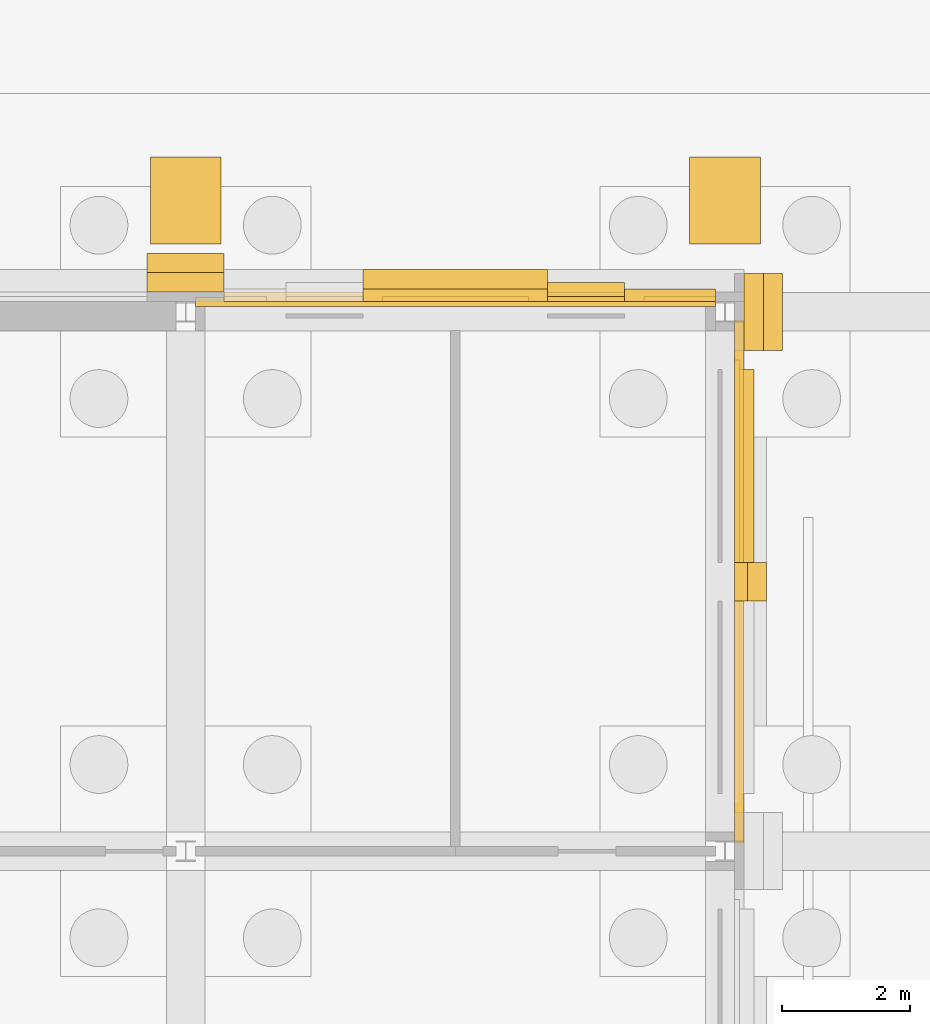
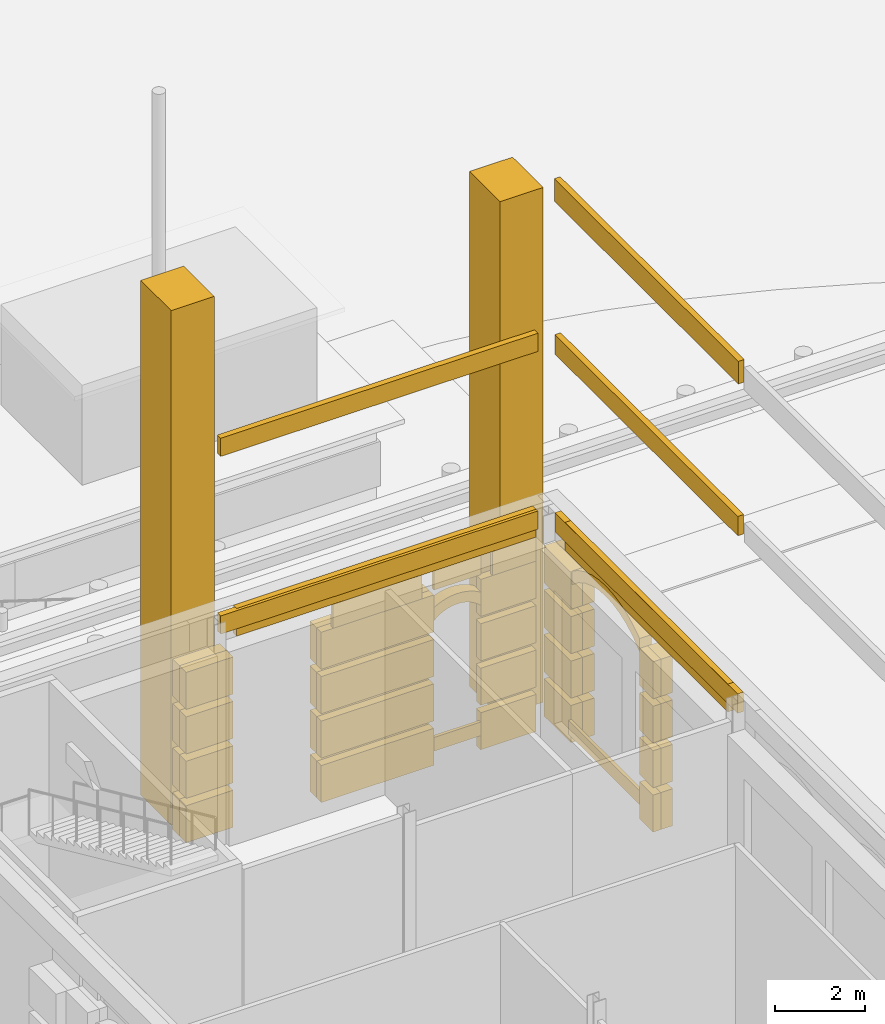
# One storey, part 156 of 222: 52 coverings.
"""IFC4 building model written with IfcOpenShell, lengths in metres."""

from ifc_helpers import new_model, si_unit, direction, frame, origin, origin_2d, place, context, subcontext, project, spatial, polyline, rectangle, outline, extrude, material, layer, layer_set, type_object, element, save


model = new_model("IFC4")

# Units and contexts
model_context = context("Model", 3, precision=1e-05, world=origin(), true_north=direction((0.0, 1.0)))
body_context = subcontext(model_context, "Body", "Model", "MODEL_VIEW")
ifc_project = project(units=[si_unit("LENGTHUNIT", "METRE"), si_unit("AREAUNIT", "SQUARE_METRE"), si_unit("VOLUMEUNIT", "CUBIC_METRE"), si_unit("PLANEANGLEUNIT", "RADIAN"), si_unit("MASSUNIT", "GRAM", prefix="KILO")], contexts=[model_context])

# Site, building, storey
site_placement = place(None, origin())
site = spatial("IfcSite", under=ifc_project, at=site_placement, CompositionType="ELEMENT")
building_placement = place(site_placement, origin())
building = spatial("IfcBuilding", under=site, at=building_placement, Name="Sava Quay Ferry Terminal", CompositionType="ELEMENT")
storey_placement = place(building_placement, origin())
storey = spatial("IfcBuildingStorey", under=building, at=storey_placement, Name="L00", CompositionType="ELEMENT", Elevation=0.0)

# Coverings
ifc_material_1 = material(Name="Limestone Mutalj", Category="masonry")
ifc_layer_1 = layer(ifc_material_1, 0.300048828125)
ifc_layer_set_1 = layer_set([ifc_layer_1], Name="Limestone Mutalj")
covering_type_1 = type_object("IfcCoveringType", Name="Arch band 280", PredefinedType="MOLDING", material=ifc_layer_set_1)
covering_1_placement = place(storey_placement, frame((109.64990234375, 105.300048828125, 4.5), z_axis=(1.0, 0.0, 0.0), x_axis=(0.0, 0.782171011383, 0.623063808091)))
element("IfcCovering", 1, at=covering_1_placement, inside=storey, type_object=covering_type_1, Name="Arch band", PredefinedType="MOLDING", context=body_context, shape_type="SweptSolid", body=[
    extrude(outline(polyline([(0.0, 0.0), (0.38361026394291897, 0.0), (0.7215471270971323, -0.056944840965655), (1.0251448024033882, -0.15738965346254868), (1.2993842465178647, -0.29468969183758004), (1.5471556480034832, -0.4652167214188082), (1.768763237235288, -0.6685888227670815), (1.9637118241186586, -0.9050358001340293), (2.1294931395298256, -1.178490118566637), (2.2607443073734594, -1.4952922933429613), (2.3465130341479634, -1.8691914242724625), (2.5760548521189226, -1.5810332074325149), (2.4648828890282157, -1.2390243496721793), (2.318876547994931, -0.9407452676947119), (2.144424666895, -0.6781756532779273), (1.9447605091984421, -0.4476484272178306), (1.7214796529038934, -0.24637688278489167), (1.475381518481019, -0.07374929628832916), (1.2058576451797298, 0.06947049339355327), (0.9109305355622378, 0.18080000990627), (0.5877488455976752, 0.2562679436707819), (0.22954181797095916, 0.2881582168399477), (0.0, 0.0)])), origin(), (0.0, 0.0, -1.0), 0.300048828125),
])
covering_2_placement = place(storey_placement, frame((106.4375, 109.360107421875, 3.89990234375), z_axis=(0.0, -1.0, 0.0), x_axis=(0.766686318179, 0.0, 0.642021876199)))
element("IfcCovering", 2, at=covering_2_placement, inside=storey, type_object=covering_type_1, Name="Arch band", PredefinedType="MOLDING", context=body_context, shape_type="SweptSolid", body=[
    extrude(outline(polyline([(0.0, 0.0), (0.15667057654730215, -1.3877787807814457e-17), (0.29293404656438327, -0.02398938309786766), (0.414337308134961, -0.06610472040016957), (0.5230139006591377, -0.1230376562322823), (0.6205921316676617, -0.19360424362325043), (0.7070111298509724, -0.2771166367750381), (0.7823317665186302, -0.3742626814856812), (0.844925734139887, -0.48622632472613514), (0.8926594933146406, -0.6163159221710233), (0.919986145959173, -0.7703949027137791), (1.1489885778747033, -0.49692597916416525), (1.0994043308893047, -0.3694264559410845), (1.0383473638344554, -0.2552470970326215), (0.9677594714851411, -0.1528295969140227), (0.8882067570202763, -0.06073739267965583), (0.8003770662378966, 0.021090386980039788), (0.7042095278284416, 0.09334158786309998), (0.5997650131014718, 0.15532836417148896), (0.4863556762589516, 0.20698984459564596), (0.3634154141219664, 0.2468894662299388), (0.22900243191553027, 0.27346892354961383), (0.0, 0.0)])), origin(), (0.0, 0.0, -1.0), 0.300048828125),
])
ifc_material_2 = material(Name="Limestone Mutalj", Category="masonry")
ifc_layer_2 = layer(ifc_material_2, 0.080078125)
ifc_layer_set_2 = layer_set([ifc_layer_2], Name="Limestone Mutalj")
covering_type_2 = type_object("IfcCoveringType", Name="Light stone cladding 80", PredefinedType="CLADDING", material=ifc_layer_set_2)
covering_3_placement = place(storey_placement, frame((109.389892578125, 106.875, 0.3798828125), z_axis=(0.0, 0.0, 1.0), x_axis=(1.0, 0.0, 0.0)))
element("IfcCovering", 3, at=covering_3_placement, inside=storey, type_object=covering_type_2, Name="Light stone cladding", PredefinedType="CLADDING", context=body_context, shape_type="SweptSolid", body=[
    extrude(rectangle(XDim=0.080078125, YDim=3.14990234375, at=origin_2d()), origin(), (0.0, 0.0, 1.0), 0.3701171875),
])
covering_4_placement = place(storey_placement, frame((105.0, 109.39990234375, 4.60009765625), z_axis=(0.0, 0.0, 1.0), x_axis=(1.0, 0.0, 0.0)))
element("IfcCovering", 4, at=covering_4_placement, inside=storey, type_object=covering_type_2, Name="Light stone cladding", PredefinedType="CLADDING", context=body_context, shape_type="SweptSolid", body=[
    extrude(rectangle(XDim=2.27490234375, YDim=0.080078125, at=origin_2d()), origin(), (0.0, 0.0, 1.0), 0.64990234375),
])
covering_5_placement = place(storey_placement, frame((107.03759765625, 109.39990234375, 0.3798828125), z_axis=(0.0, 0.0, 1.0), x_axis=(1.0, 0.0, 0.0)))
element("IfcCovering", 5, at=covering_5_placement, inside=storey, type_object=covering_type_2, Name="Light stone cladding", PredefinedType="CLADDING", context=body_context, shape_type="SweptSolid", body=[
    extrude(rectangle(XDim=1.2001953125, YDim=0.080078125, at=origin_2d()), origin(), (0.0, 0.0, 1.0), 0.3701171875),
])
covering_6_placement = place(storey_placement, frame((107.03759765625, 109.39990234375, 4.72998046875), z_axis=(0.0, 0.0, 1.0), x_axis=(1.0, 0.0, 0.0)))
element("IfcCovering", 6, at=covering_6_placement, inside=storey, type_object=covering_type_2, Name="Light stone cladding", PredefinedType="CLADDING", context=body_context, shape_type="SweptSolid", body=[
    extrude(rectangle(XDim=1.2001953125, YDim=0.080078125, at=origin_2d()), origin(), (0.0, 0.0, 1.0), 0.52001953125),
])
covering_7_placement = place(storey_placement, frame((108.493896484375, 109.39990234375, 4.60009765625), z_axis=(0.0, 0.0, 1.0), x_axis=(1.0, 0.0, 0.0)))
element("IfcCovering", 7, at=covering_7_placement, inside=storey, type_object=covering_type_2, Name="Light stone cladding", PredefinedType="CLADDING", context=body_context, shape_type="SweptSolid", body=[
    extrude(rectangle(XDim=1.112548828125, YDim=0.080078125, at=origin_2d()), origin(), (0.0, 0.0, 1.0), 0.64990234375),
])
ifc_material_3 = material(Name="Limestone Mutalj", Category="masonry")
ifc_layer_3 = layer(ifc_material_3, 0.14990234375)
ifc_layer_set_3 = layer_set([ifc_layer_3], Name="Limestone Mutalj")
covering_type_3 = type_object("IfcCoveringType", Name="Limestone string course 150", PredefinedType="CLADDING", material=ifc_layer_set_3)
covering_8_placement = place(storey_placement, frame((0.0, 0.0, 5.25)))
element("IfcCovering", 8, at=covering_8_placement, inside=storey, type_object=covering_type_3, Name="String course O-N", PredefinedType="CLADDING", context=body_context, shape_type="SweptSolid", body=[
    extrude(outline(polyline([(101.39990234375, 109.360107421875), (109.050048828125, 109.360107421875), (109.050048828125, 109.510009765625), (101.39990234375, 109.510009765625), (101.39990234375, 109.360107421875)])), origin(), (0.0, 0.0, 1.0), 0.75),
])
covering_9_placement = place(storey_placement, frame((0.0, 0.0, 5.25)))
element("IfcCovering", 9, at=covering_9_placement, inside=storey, type_object=covering_type_3, Name="String course O-E", PredefinedType="CLADDING", context=body_context, shape_type="SweptSolid", body=[
    extrude(outline(polyline([(109.35009765625, 101.39990234375), (109.35009765625, 108.60009765625), (109.5, 108.60009765625), (109.5, 101.39990234375), (109.35009765625, 101.39990234375)])), origin(), (0.0, 0.0, 1.0), 0.75),
])
ifc_material_4 = material(Name="Limestone Mutalj", Category="masonry")
ifc_layer_4 = layer(ifc_material_4, 1.35009765625)
ifc_layer_set_4 = layer_set([ifc_layer_4], Name="Limestone Mutalj")
covering_type_4 = type_object("IfcCoveringType", Name="Portico pier 1100", PredefinedType="CLADDING", material=ifc_layer_set_4)
for number, where, z_axis, x_axis, name in (
    (10, (100.800048828125, 110.93505859375, 0.0), (0.0, 0.0, 1.0), (1.0, 0.0, 0.0), "Portico pier"),
    (11, (109.199951171875, 110.93505859375, 0.0), (0.0, 0.0, 1.0), (1.0, 0.0, 0.0), "Portico pier"),
):
    element("IfcCovering", number, at=place(storey_placement, frame(where, z_axis=z_axis, x_axis=x_axis)), inside=storey, type_object=covering_type_4, Name=name, PredefinedType="CLADDING", context=body_context, shape_type="SweptSolid", body=[
        extrude(rectangle(XDim=1.10009765625, YDim=1.35009765625, at=origin_2d()), origin(), (0.0, 0.0, 1.0), 13.89990234375),
    ])
ifc_material_5 = material(Name="Limestone Mutalj", Category="masonry")
ifc_layer_5 = layer(ifc_material_5, 0.300048828125)
ifc_layer_set_5 = layer_set([ifc_layer_5], Name="Limestone Mutalj")
covering_type_5 = type_object("IfcCoveringType", Name="Rusticated course deepening 300", PredefinedType="CLADDING", material=ifc_layer_set_5)
for number, where, z_axis, x_axis, name in (
    (12, (109.949951171875, 109.199951171875, 0.0), (0.0, 0.0, 1.0), (1.0, 0.0, 0.0), "Rusticated course deepening"),
    (13, (109.949951171875, 109.199951171875, 1.199951171875), (0.0, 0.0, 1.0), (1.0, 0.0, 0.0), "Rusticated course deepening"),
    (14, (109.949951171875, 109.199951171875, 2.39990234375), (0.0, 0.0, 1.0), (1.0, 0.0, 0.0), "Rusticated course deepening"),
    (15, (109.949951171875, 109.199951171875, 3.60009765625), (0.0, 0.0, 1.0), (1.0, 0.0, 0.0), "Rusticated course deepening"),
):
    element("IfcCovering", number, at=place(storey_placement, frame(where, z_axis=z_axis, x_axis=x_axis)), inside=storey, type_object=covering_type_5, Name=name, PredefinedType="CLADDING", context=body_context, shape_type="SweptSolid", body=[
        extrude(rectangle(XDim=0.300048828125, YDim=1.199951171875, at=origin_2d()), origin(), (0.0, 0.0, 1.0), 1.0),
    ])
for number, where, z_axis, x_axis, name in (
    (16, (100.800048828125, 109.9599609375, 0.0), (0.0, 0.0, 1.0), (1.0, 0.0, 0.0), "Rusticated course deepening"),
    (17, (100.800048828125, 109.9599609375, 1.199951171875), (0.0, 0.0, 1.0), (1.0, 0.0, 0.0), "Rusticated course deepening"),
    (18, (100.800048828125, 109.9599609375, 2.39990234375), (0.0, 0.0, 1.0), (1.0, 0.0, 0.0), "Rusticated course deepening"),
    (19, (100.800048828125, 109.9599609375, 3.60009765625), (0.0, 0.0, 1.0), (1.0, 0.0, 0.0), "Rusticated course deepening"),
):
    element("IfcCovering", number, at=place(storey_placement, frame(where, z_axis=z_axis, x_axis=x_axis)), inside=storey, type_object=covering_type_5, Name=name, PredefinedType="CLADDING", context=body_context, shape_type="SweptSolid", body=[
        extrude(rectangle(XDim=1.199951171875, YDim=0.300048828125, at=origin_2d()), origin(), (0.0, 0.0, 1.0), 1.0),
    ])
for number, where, z_axis, x_axis, name in (
    (20, (109.699951171875, 105.0, 0.0), (0.0, 0.0, 1.0), (1.0, 0.0, 0.0), "Rusticated course deepening"),
    (21, (109.699951171875, 105.0, 1.199951171875), (0.0, 0.0, 1.0), (1.0, 0.0, 0.0), "Rusticated course deepening"),
    (22, (109.699951171875, 105.0, 2.39990234375), (0.0, 0.0, 1.0), (1.0, 0.0, 0.0), "Rusticated course deepening"),
    (23, (109.699951171875, 105.0, 3.60009765625), (0.0, 0.0, 1.0), (1.0, 0.0, 0.0), "Rusticated course deepening"),
):
    element("IfcCovering", number, at=place(storey_placement, frame(where, z_axis=z_axis, x_axis=x_axis)), inside=storey, type_object=covering_type_5, Name=name, PredefinedType="CLADDING", context=body_context, shape_type="SweptSolid", body=[
        extrude(rectangle(XDim=0.300048828125, YDim=0.60009765625, at=origin_2d()), origin(), (0.0, 0.0, 1.0), 1.0),
    ])
for number, where, z_axis, x_axis, name in (
    (24, (105.0, 109.7099609375, 0.0), (0.0, 0.0, 1.0), (1.0, 0.0, 0.0), "Rusticated course deepening"),
    (25, (105.0, 109.7099609375, 1.199951171875), (0.0, 0.0, 1.0), (1.0, 0.0, 0.0), "Rusticated course deepening"),
    (26, (105.0, 109.7099609375, 2.39990234375), (0.0, 0.0, 1.0), (1.0, 0.0, 0.0), "Rusticated course deepening"),
    (27, (105.0, 109.7099609375, 3.60009765625), (0.0, 0.0, 1.0), (1.0, 0.0, 0.0), "Rusticated course deepening"),
):
    element("IfcCovering", number, at=place(storey_placement, frame(where, z_axis=z_axis, x_axis=x_axis)), inside=storey, type_object=covering_type_5, Name=name, PredefinedType="CLADDING", context=body_context, shape_type="SweptSolid", body=[
        extrude(rectangle(XDim=2.875, YDim=0.300048828125, at=origin_2d()), origin(), (0.0, 0.0, 1.0), 1.0),
    ])
ifc_material_6 = material(Name="Limestone Mutalj", Category="masonry")
ifc_layer_6 = layer(ifc_material_6, 0.300048828125)
ifc_layer_set_6 = layer_set([ifc_layer_6], Name="Limestone Mutalj")
covering_type_6 = type_object("IfcCoveringType", Name="Rusticated pier course 300", PredefinedType="CLADDING", material=ifc_layer_set_6)
for number, where, z_axis, x_axis, name in (
    (28, (109.64990234375, 109.199951171875, 0.0), (0.0, 0.0, 1.0), (1.0, 0.0, 0.0), "Rusticated pier course"),
    (29, (109.64990234375, 109.199951171875, 1.199951171875), (0.0, 0.0, 1.0), (1.0, 0.0, 0.0), "Rusticated pier course"),
    (30, (109.64990234375, 109.199951171875, 2.39990234375), (0.0, 0.0, 1.0), (1.0, 0.0, 0.0), "Rusticated pier course"),
    (31, (109.64990234375, 109.199951171875, 3.60009765625), (0.0, 0.0, 1.0), (1.0, 0.0, 0.0), "Rusticated pier course"),
):
    element("IfcCovering", number, at=place(storey_placement, frame(where, z_axis=z_axis, x_axis=x_axis)), inside=storey, type_object=covering_type_6, Name=name, PredefinedType="CLADDING", context=body_context, shape_type="SweptSolid", body=[
        extrude(rectangle(XDim=0.300048828125, YDim=1.199951171875, at=origin_2d()), origin(), (0.0, 0.0, 1.0), 1.0),
    ])
for number, where, z_axis, x_axis, name in (
    (32, (100.800048828125, 109.659912109375, 0.0), (0.0, 0.0, 1.0), (1.0, 0.0, 0.0), "Rusticated pier course"),
    (33, (100.800048828125, 109.659912109375, 1.199951171875), (0.0, 0.0, 1.0), (1.0, 0.0, 0.0), "Rusticated pier course"),
    (34, (100.800048828125, 109.659912109375, 2.39990234375), (0.0, 0.0, 1.0), (1.0, 0.0, 0.0), "Rusticated pier course"),
    (35, (100.800048828125, 109.659912109375, 3.60009765625), (0.0, 0.0, 1.0), (1.0, 0.0, 0.0), "Rusticated pier course"),
):
    element("IfcCovering", number, at=place(storey_placement, frame(where, z_axis=z_axis, x_axis=x_axis)), inside=storey, type_object=covering_type_6, Name=name, PredefinedType="CLADDING", context=body_context, shape_type="SweptSolid", body=[
        extrude(rectangle(XDim=1.199951171875, YDim=0.300048828125, at=origin_2d()), origin(), (0.0, 0.0, 1.0), 1.0),
    ])
ifc_material_7 = material(Name="Limestone Mutalj", Category="masonry")
ifc_layer_7 = layer(ifc_material_7, 0.199951171875)
ifc_layer_set_7 = layer_set([ifc_layer_7], Name="Limestone Mutalj")
covering_type_7 = type_object("IfcCoveringType", Name="Rusticated wall course 200", PredefinedType="CLADDING", material=ifc_layer_set_7)
for number, where, z_axis, x_axis, name in (
    (36, (109.449951171875, 105.0, 0.0), (0.0, 0.0, 1.0), (1.0, 0.0, 0.0), "Rusticated wall course"),
    (37, (109.449951171875, 105.0, 1.199951171875), (0.0, 0.0, 1.0), (1.0, 0.0, 0.0), "Rusticated wall course"),
    (38, (109.449951171875, 105.0, 2.39990234375), (0.0, 0.0, 1.0), (1.0, 0.0, 0.0), "Rusticated wall course"),
    (39, (109.449951171875, 105.0, 3.60009765625), (0.0, 0.0, 1.0), (1.0, 0.0, 0.0), "Rusticated wall course"),
):
    element("IfcCovering", number, at=place(storey_placement, frame(where, z_axis=z_axis, x_axis=x_axis)), inside=storey, type_object=covering_type_7, Name=name, PredefinedType="CLADDING", context=body_context, shape_type="SweptSolid", body=[
        extrude(rectangle(XDim=0.199951171875, YDim=0.60009765625, at=origin_2d()), origin(), (0.0, 0.0, 1.0), 1.0),
    ])
covering_10_placement = place(storey_placement, frame((105.0, 109.4599609375, 0.0), z_axis=(0.0, 0.0, 1.0), x_axis=(1.0, 0.0, 0.0)))
element("IfcCovering", 40, at=covering_10_placement, inside=storey, type_object=covering_type_7, Name="Rusticated wall course", PredefinedType="CLADDING", context=body_context, shape_type="SweptSolid", body=[
    extrude(rectangle(XDim=2.875, YDim=0.199951171875, at=origin_2d()), origin(), (0.0, 0.0, 1.0), 1.0),
])
covering_11_placement = place(storey_placement, frame((108.34375, 109.4599609375, 0.0), z_axis=(0.0, 0.0, 1.0), x_axis=(1.0, 0.0, 0.0)))
element("IfcCovering", 41, at=covering_11_placement, inside=storey, type_object=covering_type_7, Name="Rusticated wall course", PredefinedType="CLADDING", context=body_context, shape_type="SweptSolid", body=[
    extrude(rectangle(XDim=1.41259765625, YDim=0.199951171875, at=origin_2d()), origin(), (0.0, 0.0, 1.0), 1.0),
])
covering_12_placement = place(storey_placement, frame((105.0, 109.4599609375, 1.199951171875), z_axis=(0.0, 0.0, 1.0), x_axis=(1.0, 0.0, 0.0)))
element("IfcCovering", 42, at=covering_12_placement, inside=storey, type_object=covering_type_7, Name="Rusticated wall course", PredefinedType="CLADDING", context=body_context, shape_type="SweptSolid", body=[
    extrude(rectangle(XDim=2.875, YDim=0.199951171875, at=origin_2d()), origin(), (0.0, 0.0, 1.0), 1.0),
])
covering_13_placement = place(storey_placement, frame((108.34375, 109.4599609375, 1.199951171875), z_axis=(0.0, 0.0, 1.0), x_axis=(1.0, 0.0, 0.0)))
element("IfcCovering", 43, at=covering_13_placement, inside=storey, type_object=covering_type_7, Name="Rusticated wall course", PredefinedType="CLADDING", context=body_context, shape_type="SweptSolid", body=[
    extrude(rectangle(XDim=1.41259765625, YDim=0.199951171875, at=origin_2d()), origin(), (0.0, 0.0, 1.0), 1.0),
])
covering_14_placement = place(storey_placement, frame((105.0, 109.4599609375, 2.39990234375), z_axis=(0.0, 0.0, 1.0), x_axis=(1.0, 0.0, 0.0)))
element("IfcCovering", 44, at=covering_14_placement, inside=storey, type_object=covering_type_7, Name="Rusticated wall course", PredefinedType="CLADDING", context=body_context, shape_type="SweptSolid", body=[
    extrude(rectangle(XDim=2.875, YDim=0.199951171875, at=origin_2d()), origin(), (0.0, 0.0, 1.0), 1.0),
])
covering_15_placement = place(storey_placement, frame((108.34375, 109.4599609375, 2.39990234375), z_axis=(0.0, 0.0, 1.0), x_axis=(1.0, 0.0, 0.0)))
element("IfcCovering", 45, at=covering_15_placement, inside=storey, type_object=covering_type_7, Name="Rusticated wall course", PredefinedType="CLADDING", context=body_context, shape_type="SweptSolid", body=[
    extrude(rectangle(XDim=1.41259765625, YDim=0.199951171875, at=origin_2d()), origin(), (0.0, 0.0, 1.0), 1.0),
])
covering_16_placement = place(storey_placement, frame((105.0, 109.4599609375, 3.60009765625), z_axis=(0.0, 0.0, 1.0), x_axis=(1.0, 0.0, 0.0)))
element("IfcCovering", 46, at=covering_16_placement, inside=storey, type_object=covering_type_7, Name="Rusticated wall course", PredefinedType="CLADDING", context=body_context, shape_type="SweptSolid", body=[
    extrude(rectangle(XDim=2.875, YDim=0.199951171875, at=origin_2d()), origin(), (0.0, 0.0, 1.0), 1.0),
])
covering_17_placement = place(storey_placement, frame((108.34375, 109.4599609375, 3.60009765625), z_axis=(0.0, 0.0, 1.0), x_axis=(1.0, 0.0, 0.0)))
element("IfcCovering", 47, at=covering_17_placement, inside=storey, type_object=covering_type_7, Name="Rusticated wall course", PredefinedType="CLADDING", context=body_context, shape_type="SweptSolid", body=[
    extrude(rectangle(XDim=1.41259765625, YDim=0.199951171875, at=origin_2d()), origin(), (0.0, 0.0, 1.0), 1.0),
])
ifc_material_8 = material(Name="Limestone Mutalj", Category="masonry")
ifc_layer_8 = layer(ifc_material_8, 0.14990234375)
ifc_layer_set_8 = layer_set([ifc_layer_8], Name="Limestone Mutalj")
covering_type_8 = type_object("IfcCoveringType", Name="Slab edge fascia 150", PredefinedType="CLADDING", material=ifc_layer_set_8)
covering_18_placement = place(storey_placement, frame((0.0, 0.0, 5.47998046875)))
element("IfcCovering", 48, at=covering_18_placement, inside=storey, type_object=covering_type_8, Name="Slab edge fascia", PredefinedType="CLADDING", context=body_context, shape_type="SweptSolid", body=[
    extrude(outline(polyline([(109.347900390625, 109.0400390625), (109.347900390625, 100.9599609375), (109.498046875, 100.9599609375), (109.498046875, 109.0400390625), (109.347900390625, 109.0400390625)])), origin(), (0.0, 0.0, 1.0), 0.52001953125),
])
covering_19_placement = place(storey_placement, frame((0.0, 0.0, 5.510009765625)))
element("IfcCovering", 49, at=covering_19_placement, inside=storey, type_object=covering_type_8, Name="Slab edge fascia", PredefinedType="CLADDING", context=body_context, shape_type="SweptSolid", body=[
    extrude(outline(polyline([(100.949951171875, 109.43310546875), (100.949951171875, 109.282958984375), (109.050048828125, 109.282958984375), (109.050048828125, 109.43310546875), (100.949951171875, 109.43310546875)])), origin(), (0.0, 0.0, 1.0), 0.489990234375),
])
covering_20_placement = place(storey_placement, frame((0.0, 0.0, 10.280029296875)))
element("IfcCovering", 50, at=covering_20_placement, inside=storey, type_object=covering_type_8, Name="Slab edge fascia", PredefinedType="CLADDING", context=body_context, shape_type="SweptSolid", body=[
    extrude(outline(polyline([(109.347900390625, 109.050048828125), (109.347900390625, 100.949951171875), (109.498046875, 100.949951171875), (109.498046875, 109.050048828125), (109.347900390625, 109.050048828125)])), origin(), (0.0, 0.0, 1.0), 0.52001953125),
])
covering_21_placement = place(storey_placement, frame((0.0, 0.0, 10.31005859375)))
element("IfcCovering", 51, at=covering_21_placement, inside=storey, type_object=covering_type_8, Name="Slab edge fascia", PredefinedType="CLADDING", context=body_context, shape_type="SweptSolid", body=[
    extrude(outline(polyline([(100.949951171875, 109.43310546875), (100.949951171875, 109.282958984375), (109.050048828125, 109.282958984375), (109.050048828125, 109.43310546875), (100.949951171875, 109.43310546875)])), origin(), (0.0, 0.0, 1.0), 0.489990234375),
])
covering_22_placement = place(storey_placement, frame((0.0, 0.0, 14.393310546875)))
element("IfcCovering", 52, at=covering_22_placement, inside=storey, type_object=covering_type_8, Name="Slab edge fascia", PredefinedType="CLADDING", context=body_context, shape_type="SweptSolid", body=[
    extrude(outline(polyline([(109.347900390625, 109.070068359375), (109.347900390625, 100.929931640625), (109.498046875, 100.929931640625), (109.498046875, 109.070068359375), (109.347900390625, 109.070068359375)])), origin(), (0.0, 0.0, 1.0), 0.606689453125),
])

save(model, "model.ifc")
